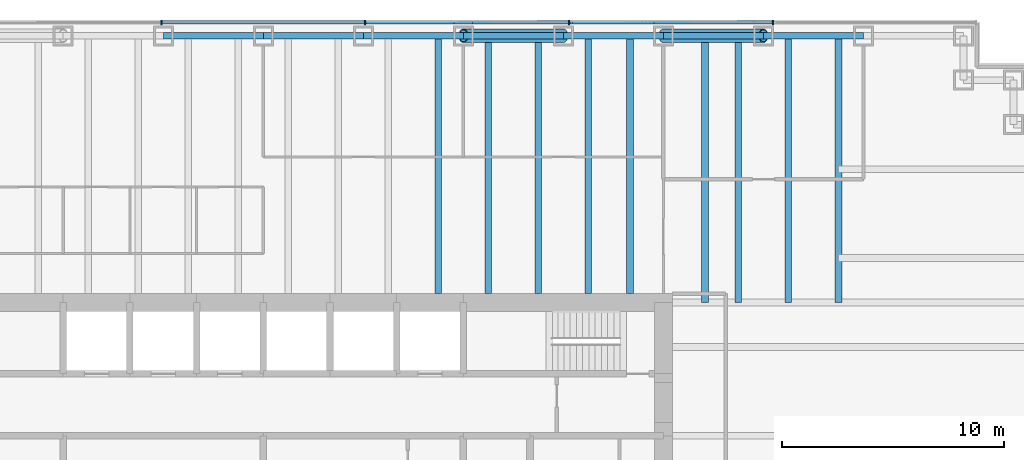
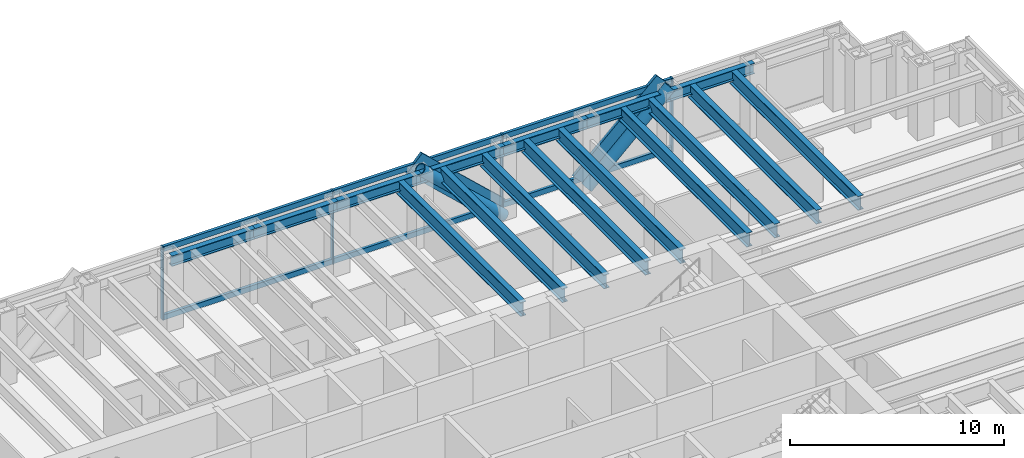
# One storey, part 6 of 14: 16 beams, 14 members, 1 element without a shape of its own.
"""IFC4 building model written with IfcOpenShell, lengths in metres."""

from ifc_helpers import new_model, si_unit, direction, frame, origin, origin_2d, place, context, subcontext, project, spatial, rectangle, hollow_circle, i_section, extrude, material, material_profile, profile_set, type_object, element, aggregate, save


model = new_model("IFC4")

# Units and contexts
model_context = context("Model", 3, precision=1e-05, world=origin(), true_north=direction((0.0, 1.0)))
body_context = subcontext(model_context, "Body", "Model", "MODEL_VIEW")
ifc_project = project(units=[si_unit("LENGTHUNIT", "METRE"), si_unit("AREAUNIT", "SQUARE_METRE"), si_unit("VOLUMEUNIT", "CUBIC_METRE"), si_unit("PLANEANGLEUNIT", "RADIAN"), si_unit("MASSUNIT", "GRAM", prefix="KILO")], contexts=[model_context])

# Site, building, storey
site_placement = place(None, origin())
site = spatial("IfcSite", under=ifc_project, at=site_placement, CompositionType="ELEMENT")
building_placement = place(site_placement, origin())
building = spatial("IfcBuilding", under=site, at=building_placement, Name="Rheinbord Bourse Tower", CompositionType="ELEMENT")
storey_placement = place(building_placement, frame((0.0, 0.0, 202.60009765625)))
storey = spatial("IfcBuildingStorey", under=building, at=storey_placement, Name="L45", CompositionType="ELEMENT", Elevation=202.60009765625)

# Curtain wall, members
ifc_material_1 = material(Name="Dark glass and black aluminium", Category="aluminium")
curtain_wall_type = type_object("IfcCurtainWallType", Name="CW2 DARK GLASS CURTAIN WALL", PredefinedType="USERDEFINED", material=ifc_material_1)
curtain_wall_placement = place(storey_placement, origin())
curtain_wall = element("IfcCurtainWall", 1, at=curtain_wall_placement, inside=storey, type_object=curtain_wall_type, Name="Curtain wall CW2 N L45", ObjectType="UNITISED CURTAIN WALL", PredefinedType="USERDEFINED")
ifc_material_2 = material(Name="Black anodised aluminium", Category="aluminium")
ifc_material_profile_1 = material_profile(ifc_material_2, rectangle(XDim=0.159912109375, YDim=1.2099609375, at=origin_2d()), Name="CW2 DIAGONAL MULLION 1210x160")
ifc_profile_set_1 = profile_set([ifc_material_profile_1], Name="Black anodised aluminium")
member_type_1 = type_object("IfcMemberType", Name="CW2 BLACK DIAGONAL MULLION", PredefinedType="USERDEFINED", material=ifc_profile_set_1)
member_1_placement = place(storey_placement, frame((49.5, 44.60009765625, 0.0), z_axis=(-0.73105922506, 0.0, 0.682314010889), x_axis=(0.0, -1.0, 0.0)))
member_1 = element("IfcMember", 2, at=member_1_placement, type_object=member_type_1, Name="CW2 diagonal mullion a", ObjectType="DIAGONAL MULLION", PredefinedType="USERDEFINED", context=body_context, shape_type="SweptSolid", body=[
    extrude(rectangle(XDim=0.159912109375, YDim=1.2099609375, at=origin_2d()), origin(), (0.0, 0.0, 1.0), 6.155517578125),
])
member_2_placement = place(storey_placement, frame((54.0, 44.60009765625, 0.0), z_axis=(0.73105922506, 0.0, 0.682314010889), x_axis=(0.0, 1.0, 0.0)))
member_2 = element("IfcMember", 3, at=member_2_placement, type_object=member_type_1, Name="CW2 diagonal mullion d", ObjectType="DIAGONAL MULLION", PredefinedType="USERDEFINED", context=body_context, shape_type="SweptSolid", body=[
    extrude(rectangle(XDim=0.159912109375, YDim=1.2099609375, at=origin_2d()), origin(), (0.0, 0.0, 1.0), 6.155517578125),
])
ifc_material_3 = material(Name="Black anodised aluminium", Category="aluminium")
ifc_material_profile_2 = material_profile(ifc_material_3, rectangle(XDim=0.219970703125, YDim=0.070068359375, at=origin_2d()), Name="CW2 MULLION 70x220")
ifc_profile_set_2 = profile_set([ifc_material_profile_2], Name="Black anodised aluminium")
member_type_2 = type_object("IfcMemberType", Name="CW2 BLACK MULLION", PredefinedType="MULLION", material=ifc_profile_set_2)
member_3_placement = place(storey_placement, frame((58.928466796875, 44.60009765625, 0.0), z_axis=(0.0, 0.0, 1.0), x_axis=(0.0, -1.0, 0.0)))
member_3 = element("IfcMember", 4, at=member_3_placement, type_object=member_type_2, Name="CW2 mullion 2", PredefinedType="MULLION", context=body_context, shape_type="SweptSolid", body=[
    extrude(rectangle(XDim=0.219970703125, YDim=0.070068359375, at=origin_2d()), origin(), (0.0, 0.0, 1.0), 4.199951171875),
])
member_4_placement = place(storey_placement, frame((49.757080078125, 44.60009765625, 0.0), z_axis=(0.0, 0.0, 1.0), x_axis=(0.0, -1.0, 0.0)))
member_4 = element("IfcMember", 5, at=member_4_placement, type_object=member_type_2, Name="CW2 mullion 3", PredefinedType="MULLION", context=body_context, shape_type="SweptSolid", body=[
    extrude(rectangle(XDim=0.219970703125, YDim=0.070068359375, at=origin_2d()), origin(), (0.0, 0.0, 1.0), 4.199951171875),
])
member_5_placement = place(storey_placement, frame((40.585693359375, 44.60009765625, 0.0), z_axis=(0.0, 0.0, 1.0), x_axis=(0.0, -1.0, 0.0)))
member_5 = element("IfcMember", 6, at=member_5_placement, type_object=member_type_2, Name="CW2 mullion 4", PredefinedType="MULLION", context=body_context, shape_type="SweptSolid", body=[
    extrude(rectangle(XDim=0.219970703125, YDim=0.070068359375, at=origin_2d()), origin(), (0.0, 0.0, 1.0), 4.199951171875),
])
member_6_placement = place(storey_placement, frame((31.414306640625, 44.60009765625, 0.0), z_axis=(0.0, 0.0, 1.0), x_axis=(0.0, -1.0, 0.0)))
member_6 = element("IfcMember", 7, at=member_6_placement, type_object=member_type_2, Name="CW2 mullion 5", PredefinedType="MULLION", context=body_context, shape_type="SweptSolid", body=[
    extrude(rectangle(XDim=0.219970703125, YDim=0.070068359375, at=origin_2d()), origin(), (0.0, 0.0, 1.0), 4.199951171875),
])
ifc_material_4 = material(Name="Black anodised aluminium", Category="aluminium")
ifc_material_profile_3 = material_profile(ifc_material_4, rectangle(XDim=0.159912109375, YDim=0.300048828125, at=origin_2d()), Name="CW2 TRANSOM 300x160")
ifc_profile_set_3 = profile_set([ifc_material_profile_3], Name="Black anodised aluminium")
member_type_3 = type_object("IfcMemberType", Name="CW2 BLACK TRANSOM", PredefinedType="USERDEFINED", material=ifc_profile_set_3)
member_7_placement = place(storey_placement, frame((58.8935546875, 44.60009765625, 0.14990234375), z_axis=(-1.0, 0.0, 0.0), x_axis=(0.0, -1.0, 0.0)))
member_7 = element("IfcMember", 8, at=member_7_placement, type_object=member_type_3, Name="CW2 transom 2.1", ObjectType="TRANSOM", PredefinedType="USERDEFINED", context=body_context, shape_type="SweptSolid", body=[
    extrude(rectangle(XDim=0.159912109375, YDim=0.300048828125, at=origin_2d()), origin(), (0.0, 0.0, 1.0), 9.101318359375),
])
member_8_placement = place(storey_placement, frame((58.8935546875, 44.60009765625, 4.0498046875), z_axis=(-1.0, 0.0, 0.0), x_axis=(0.0, -1.0, 0.0)))
member_8 = element("IfcMember", 9, at=member_8_placement, type_object=member_type_3, Name="CW2 transom 2.2", ObjectType="TRANSOM", PredefinedType="USERDEFINED", context=body_context, shape_type="SweptSolid", body=[
    extrude(rectangle(XDim=0.159912109375, YDim=0.300048828125, at=origin_2d()), origin(), (0.0, 0.0, 1.0), 9.101318359375),
])
member_9_placement = place(storey_placement, frame((49.72216796875, 44.60009765625, 0.14990234375), z_axis=(-1.0, 0.0, 0.0), x_axis=(0.0, -1.0, 0.0)))
member_9 = element("IfcMember", 10, at=member_9_placement, type_object=member_type_3, Name="CW2 transom 3.1", ObjectType="TRANSOM", PredefinedType="USERDEFINED", context=body_context, shape_type="SweptSolid", body=[
    extrude(rectangle(XDim=0.159912109375, YDim=0.300048828125, at=origin_2d()), origin(), (0.0, 0.0, 1.0), 9.1015625),
])
member_10_placement = place(storey_placement, frame((49.72216796875, 44.60009765625, 4.0498046875), z_axis=(-1.0, 0.0, 0.0), x_axis=(0.0, -1.0, 0.0)))
member_10 = element("IfcMember", 11, at=member_10_placement, type_object=member_type_3, Name="CW2 transom 3.2", ObjectType="TRANSOM", PredefinedType="USERDEFINED", context=body_context, shape_type="SweptSolid", body=[
    extrude(rectangle(XDim=0.159912109375, YDim=0.300048828125, at=origin_2d()), origin(), (0.0, 0.0, 1.0), 9.1015625),
])
member_11_placement = place(storey_placement, frame((40.55078125, 44.60009765625, 0.14990234375), z_axis=(-1.0, 0.0, 0.0), x_axis=(0.0, -1.0, 0.0)))
member_11 = element("IfcMember", 12, at=member_11_placement, type_object=member_type_3, Name="CW2 transom 4.1", ObjectType="TRANSOM", PredefinedType="USERDEFINED", context=body_context, shape_type="SweptSolid", body=[
    extrude(rectangle(XDim=0.159912109375, YDim=0.300048828125, at=origin_2d()), origin(), (0.0, 0.0, 1.0), 9.1015625),
])
member_12_placement = place(storey_placement, frame((40.55078125, 44.60009765625, 4.0498046875), z_axis=(-1.0, 0.0, 0.0), x_axis=(0.0, -1.0, 0.0)))
member_12 = element("IfcMember", 13, at=member_12_placement, type_object=member_type_3, Name="CW2 transom 4.2", ObjectType="TRANSOM", PredefinedType="USERDEFINED", context=body_context, shape_type="SweptSolid", body=[
    extrude(rectangle(XDim=0.159912109375, YDim=0.300048828125, at=origin_2d()), origin(), (0.0, 0.0, 1.0), 9.1015625),
])
aggregate(curtain_wall, [member_3, member_4, member_5, member_6, member_7, member_8, member_9, member_10, member_11, member_12, member_1, member_2])

# Beams
ifc_material_5 = material(Name="Steel S460", Category="steel")
ifc_material_profile_4 = material_profile(ifc_material_5, i_section(OverallWidth=0.300048828125, OverallDepth=0.800048828125, WebThickness=0.017578125, FlangeThickness=0.032958984375, at=origin_2d()), Name="HEB 800")
ifc_profile_set_4 = profile_set([ifc_material_profile_4], Name="Steel S460")
beam_type_1 = type_object("IfcBeamType", Name="FLOOR BEAM HEB 800", PredefinedType="BEAM", material=ifc_profile_set_4)
for number, where, z_axis, x_axis, name in (
    (14, (43.875, 44.0, 3.639892578125), (0.0, -1.0, 0.0), (1.0, 0.0, 0.0), "Floor beam N-40.5b L46"),
    (15, (46.125, 44.0, 3.639892578125), (0.0, -1.0, 0.0), (1.0, 0.0, 0.0), "Floor beam N-45a L46"),
    (16, (48.375, 44.0, 3.639892578125), (0.0, -1.0, 0.0), (1.0, 0.0, 0.0), "Floor beam N-45b L46"),
    (17, (50.625, 44.0, 3.639892578125), (0.0, -1.0, 0.0), (1.0, 0.0, 0.0), "Floor beam N-49.5a L46"),
    (18, (52.5, 44.0, 3.639892578125), (0.0, -1.0, 0.0), (1.0, 0.0, 0.0), "Floor beam N-49.5b L46"),
):
    element("IfcBeam", number, at=place(storey_placement, frame(where, z_axis=z_axis, x_axis=x_axis)), inside=storey, type_object=beam_type_1, Name=name, PredefinedType="BEAM", context=body_context, shape_type="SweptSolid", body=[
        extrude(i_section(OverallWidth=0.300048828125, OverallDepth=0.800048828125, WebThickness=0.017578125, FlangeThickness=0.032958984375, at=origin_2d()), origin(), (0.0, 0.0, 1.0), 11.60009765625),
    ])
for number, where, z_axis, x_axis, name in (
    (19, (55.875, 44.0, 3.639892578125), (0.0, -1.0, 0.0), (1.0, 0.0, 0.0), "Floor beam N-54a L46"),
    (20, (57.375, 44.0, 3.639892578125), (0.0, -1.0, 0.0), (1.0, 0.0, 0.0), "Floor beam N-54b L46"),
    (21, (59.625, 44.0, 3.639892578125), (0.0, -1.0, 0.0), (1.0, 0.0, 0.0), "Floor beam N-58.5a L46"),
    (22, (61.875, 44.0, 3.639892578125), (0.0, -1.0, 0.0), (1.0, 0.0, 0.0), "Floor beam N-58.5b L46"),
):
    element("IfcBeam", number, at=place(storey_placement, frame(where, z_axis=z_axis, x_axis=x_axis)), inside=storey, type_object=beam_type_1, Name=name, PredefinedType="BEAM", context=body_context, shape_type="SweptSolid", body=[
        extrude(i_section(OverallWidth=0.300048828125, OverallDepth=0.800048828125, WebThickness=0.017578125, FlangeThickness=0.032958984375, at=origin_2d()), origin(), (0.0, 0.0, 1.0), 12.0),
    ])

# Members
ifc_material_6 = material(Name="Steel S460", Category="steel")
ifc_material_profile_5 = material_profile(ifc_material_6, hollow_circle(Radius=0.304931640625, WallThickness=0.0400390625, at=origin_2d()), Name="CHS 610x40")
ifc_profile_set_5 = profile_set([ifc_material_profile_5], Name="Steel S460")
member_type_4 = type_object("IfcMemberType", Name="MEGABRACE CHS 610x40", PredefinedType="BRACE", material=ifc_profile_set_5)
for number, where, z_axis, x_axis, name in (
    (23, (49.5, 44.0, 0.0), (-0.73105922506, 0.0, 0.682314010889), (0.0, -1.0, 0.0), "Megabrace N face line a L45"),
    (24, (54.0, 44.0, 0.0), (0.73105922506, 0.0, 0.682314010889), (0.0, 1.0, 0.0), "Megabrace N face line d L45"),
):
    element("IfcMember", number, at=place(storey_placement, frame(where, z_axis=z_axis, x_axis=x_axis)), inside=storey, type_object=member_type_4, Name=name, PredefinedType="BRACE", context=body_context, shape_type="SweptSolid", body=[
        extrude(hollow_circle(Radius=0.304931640625, WallThickness=0.0400390625, at=origin_2d()), origin(), (0.0, 0.0, 1.0), 6.155517578125),
    ])

# Beams
ifc_material_7 = material(Name="Steel S460", Category="steel")
ifc_material_profile_6 = material_profile(ifc_material_7, i_section(OverallWidth=0.300048828125, OverallDepth=0.60009765625, WebThickness=0.015380859375, FlangeThickness=0.030029296875, at=origin_2d()), Name="HEB 600")
ifc_profile_set_6 = profile_set([ifc_material_profile_6], Name="Steel S460")
beam_type_2 = type_object("IfcBeamType", Name="SPANDREL HEB 600", PredefinedType="SPANDREL", material=ifc_profile_set_6)
for number, where, z_axis, x_axis, name in (
    (25, (63.0, 44.0, 3.739990234375), (-1.0, 0.0, 0.0), (0.0, -1.0, 0.0), "Spandrel N-63-N-58.5 under L46"),
    (26, (58.5, 44.0, 3.739990234375), (-1.0, 0.0, 0.0), (0.0, -1.0, 0.0), "Spandrel N-58.5-N-54 under L46"),
    (27, (54.0, 44.0, 3.739990234375), (-1.0, 0.0, 0.0), (0.0, -1.0, 0.0), "Spandrel N-54-N-49.5 under L46"),
    (28, (49.5, 44.0, 3.739990234375), (-1.0, 0.0, 0.0), (0.0, -1.0, 0.0), "Spandrel N-49.5-N-45 under L46"),
    (29, (45.0, 44.0, 3.739990234375), (-1.0, 0.0, 0.0), (0.0, -1.0, 0.0), "Spandrel N-45-N-40.5 under L46"),
    (30, (40.5, 44.0, 3.739990234375), (-1.0, 0.0, 0.0), (0.0, -1.0, 0.0), "Spandrel N-40.5-N-36 under L46"),
    (31, (36.0, 44.0, 3.739990234375), (-1.0, 0.0, 0.0), (0.0, -1.0, 0.0), "Spandrel N-36-N-31.5 under L46"),
):
    element("IfcBeam", number, at=place(storey_placement, frame(where, z_axis=z_axis, x_axis=x_axis)), inside=storey, type_object=beam_type_2, Name=name, PredefinedType="SPANDREL", context=body_context, shape_type="SweptSolid", body=[
        extrude(i_section(OverallWidth=0.300048828125, OverallDepth=0.60009765625, WebThickness=0.015380859375, FlangeThickness=0.030029296875, at=origin_2d()), origin(), (0.0, 0.0, 1.0), 4.5),
    ])

save(model, "model.ifc")
